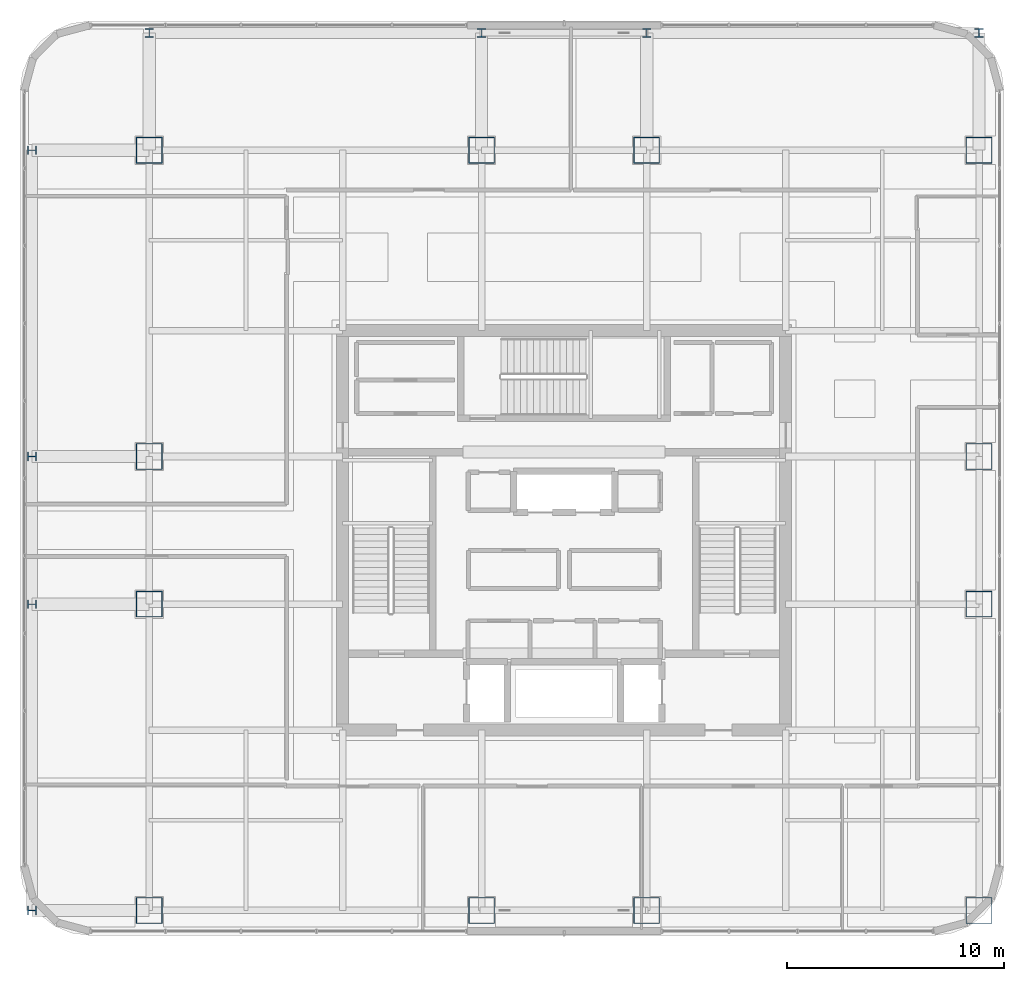
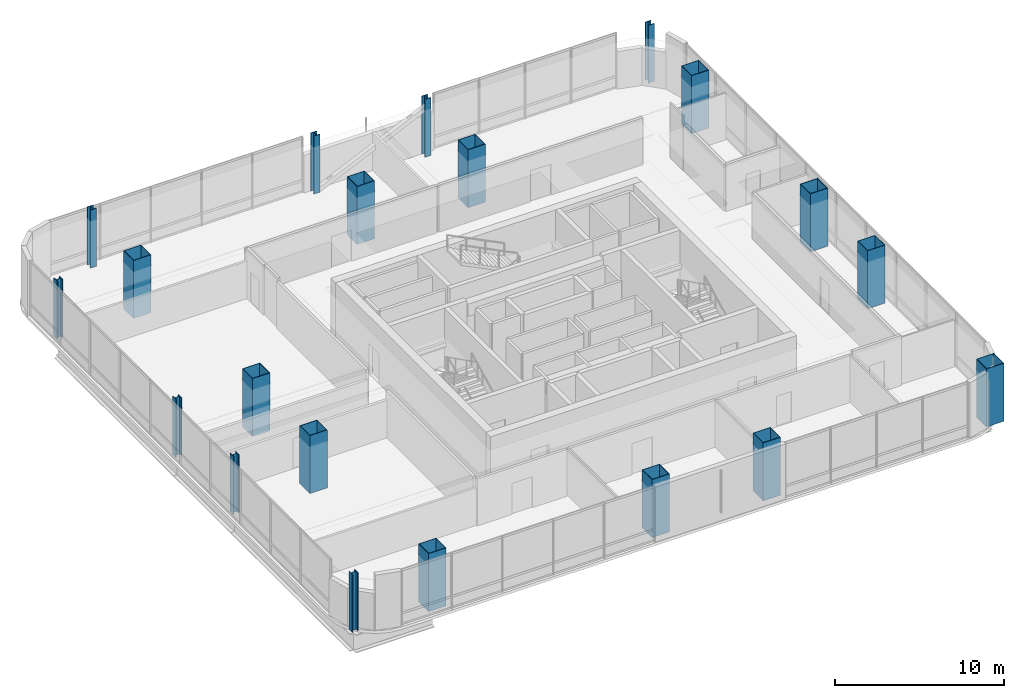
# One storey, part 1 of 43: 20 columns.
"""IFC4 building model written with IfcOpenShell, lengths in metres."""

from ifc_helpers import new_model, si_unit, direction, frame, origin, origin_2d, place, context, subcontext, project, spatial, hollow_rectangle, i_section, extrude, material, material_profile, profile_set, type_object, element, save


model = new_model("IFC4")

# Units and contexts
model_context = context("Model", 3, precision=1e-05, world=origin(), true_north=direction((0.0, 1.0)))
body_context = subcontext(model_context, "Body", "Model", "MODEL_VIEW")
ifc_project = project(units=[si_unit("LENGTHUNIT", "METRE"), si_unit("AREAUNIT", "SQUARE_METRE"), si_unit("VOLUMEUNIT", "CUBIC_METRE"), si_unit("PLANEANGLEUNIT", "RADIAN"), si_unit("MASSUNIT", "GRAM", prefix="KILO")], contexts=[model_context])

# Site, building, storey
site_placement = place(None, origin())
site = spatial("IfcSite", under=ifc_project, at=site_placement, CompositionType="ELEMENT")
building_placement = place(site_placement, origin())
building = spatial("IfcBuilding", under=site, at=building_placement, Name="Punatoya Terracotta Tower", CompositionType="ELEMENT")
storey_placement = place(building_placement, frame((0.0, 0.0, 300.60009765625)))
storey = spatial("IfcBuildingStorey", under=building, at=storey_placement, Name="L71", CompositionType="ELEMENT", Elevation=300.60009765625)

# Columns
ifc_material = material(Name="Steel S460", Category="steel")
ifc_material_profile_1 = material_profile(ifc_material, i_section(OverallWidth=0.406005859375, OverallDepth=0.416015625, WebThickness=0.029052734375, FlangeThickness=0.048095703125, FilletRadius=0.01806640625, at=origin_2d()))
ifc_profile_set_1 = profile_set([ifc_material_profile_1], Name="Steel S460")
column_type_1 = type_object("IfcColumnType", Name="COL-EX-M3", PredefinedType="COLUMN", material=ifc_profile_set_1)
for number, where, z_axis, x_axis, name in (
    (1, (-19.10009765625, 22.89990234375, 0.0), (0.0, 0.0, 1.0), (1.0, 0.0, 0.0), "L71 Exoskeleton Perimeter Column N1"),
    (2, (-3.800048828125, 22.89990234375, 0.0), (0.0, 0.0, 1.0), (1.0, 0.0, 0.0), "L71 Exoskeleton Perimeter Column N2"),
    (3, (3.800048828125, 22.89990234375, 0.0), (0.0, 0.0, 1.0), (1.0, 0.0, 0.0), "L71 Exoskeleton Perimeter Column N3"),
    (4, (19.10009765625, 22.89990234375, 0.0), (0.0, 0.0, 1.0), (1.0, 0.0, 0.0), "L71 Exoskeleton Perimeter Column N4"),
    (5, (-24.5, -17.5, 0.0), (0.0, 0.0, 1.0), (0.0, 1.0, 0.0), "L71 Exoskeleton Perimeter Column W1"),
    (6, (-24.5, -3.39990234375, 0.0), (0.0, 0.0, 1.0), (0.0, 1.0, 0.0), "L71 Exoskeleton Perimeter Column W2"),
    (7, (-24.5, 3.39990234375, 0.0), (0.0, 0.0, 1.0), (0.0, 1.0, 0.0), "L71 Exoskeleton Perimeter Column W3"),
    (8, (-24.5, 17.5, 0.0), (0.0, 0.0, 1.0), (0.0, 1.0, 0.0), "L71 Exoskeleton Perimeter Column W4"),
):
    element("IfcColumn", number, at=place(storey_placement, frame(where, z_axis=z_axis, x_axis=x_axis)), inside=storey, type_object=column_type_1, Name=name, PredefinedType="COLUMN", context=body_context, shape_type="SweptSolid", body=[
        extrude(i_section(OverallWidth=0.406005859375, OverallDepth=0.416015625, WebThickness=0.029052734375, FlangeThickness=0.048095703125, FilletRadius=0.01806640625, at=origin_2d()), origin(), (0.0, 0.0, 1.0), 4.197998046875),
    ])
ifc_material_profile_2 = material_profile(ifc_material, hollow_rectangle(XDim=1.199951171875, YDim=1.199951171875, WallThickness=0.034912109375, at=origin_2d()))
ifc_profile_set_2 = profile_set([ifc_material_profile_2], Name="Steel S460")
column_type_2 = type_object("IfcColumnType", Name="COL-MC-Z4", PredefinedType="COLUMN", material=ifc_profile_set_2)
for number, where, z_axis, x_axis, name in (
    (9, (-19.10009765625, -17.5, 0.0), (0.0, 0.0, 1.0), (1.0, 0.0, 0.0), "L71 Composite Mega-Column MC-01 (3-B)"),
    (10, (-3.800048828125, -17.5, 0.0), (0.0, 0.0, 1.0), (1.0, 0.0, 0.0), "L71 Composite Mega-Column MC-02 (5-B)"),
    (11, (3.800048828125, -17.5, 0.0), (0.0, 0.0, 1.0), (1.0, 0.0, 0.0), "L71 Composite Mega-Column MC-03 (7-B)"),
    (12, (19.10009765625, -17.5, 0.0), (0.0, 0.0, 1.0), (1.0, 0.0, 0.0), "L71 Composite Mega-Column MC-04 (9-B)"),
    (13, (19.10009765625, -3.39990234375, 0.0), (0.0, 0.0, 1.0), (1.0, 0.0, 0.0), "L71 Composite Mega-Column MC-05 (9-D)"),
    (14, (19.10009765625, 3.39990234375, 0.0), (0.0, 0.0, 1.0), (1.0, 0.0, 0.0), "L71 Composite Mega-Column MC-06 (9-E)"),
    (15, (19.10009765625, 17.5, 0.0), (0.0, 0.0, 1.0), (1.0, 0.0, 0.0), "L71 Composite Mega-Column MC-07 (9-G)"),
    (16, (3.800048828125, 17.5, 0.0), (0.0, 0.0, 1.0), (1.0, 0.0, 0.0), "L71 Composite Mega-Column MC-08 (7-G)"),
    (17, (-3.800048828125, 17.5, 0.0), (0.0, 0.0, 1.0), (1.0, 0.0, 0.0), "L71 Composite Mega-Column MC-09 (5-G)"),
    (18, (-19.10009765625, 17.5, 0.0), (0.0, 0.0, 1.0), (1.0, 0.0, 0.0), "L71 Composite Mega-Column MC-10 (3-G)"),
    (19, (-19.10009765625, 3.39990234375, 0.0), (0.0, 0.0, 1.0), (1.0, 0.0, 0.0), "L71 Composite Mega-Column MC-11 (3-E)"),
    (20, (-19.10009765625, -3.39990234375, 0.0), (0.0, 0.0, 1.0), (1.0, 0.0, 0.0), "L71 Composite Mega-Column MC-12 (3-D)"),
):
    element("IfcColumn", number, at=place(storey_placement, frame(where, z_axis=z_axis, x_axis=x_axis)), inside=storey, type_object=column_type_2, Name=name, PredefinedType="COLUMN", context=body_context, shape_type="SweptSolid", body=[
        extrude(hollow_rectangle(XDim=1.199951171875, YDim=1.199951171875, WallThickness=0.034912109375, at=origin_2d()), origin(), (0.0, 0.0, 1.0), 4.199951171875),
    ])

save(model, "model.ifc")
